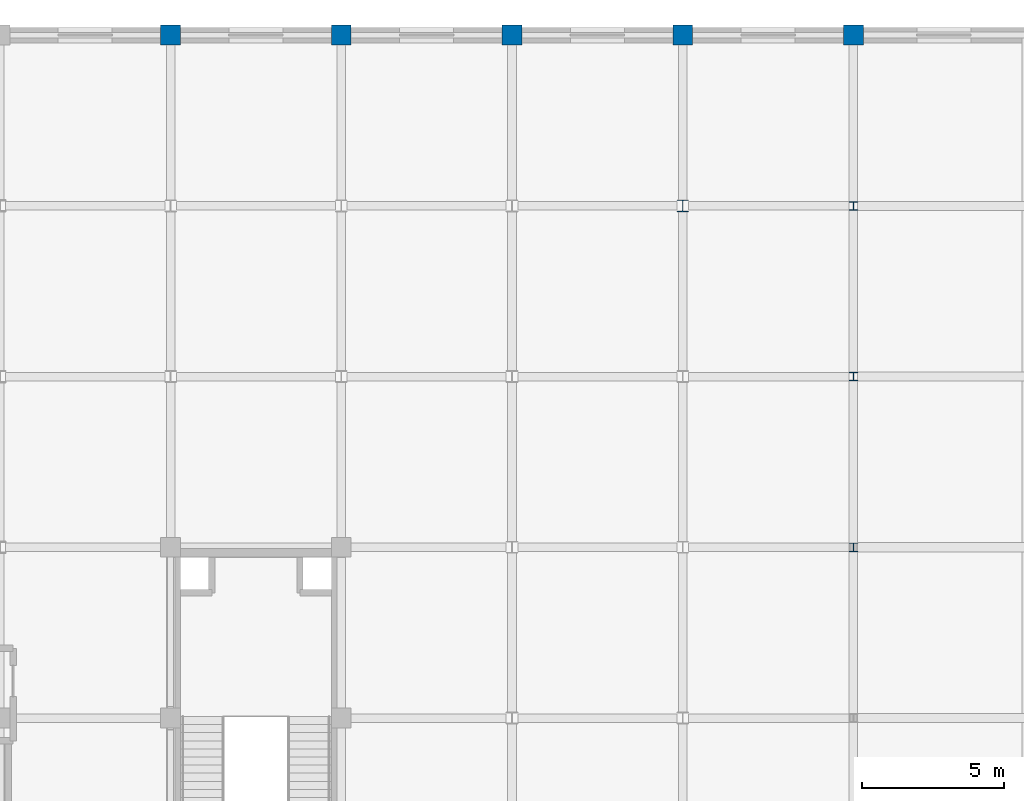
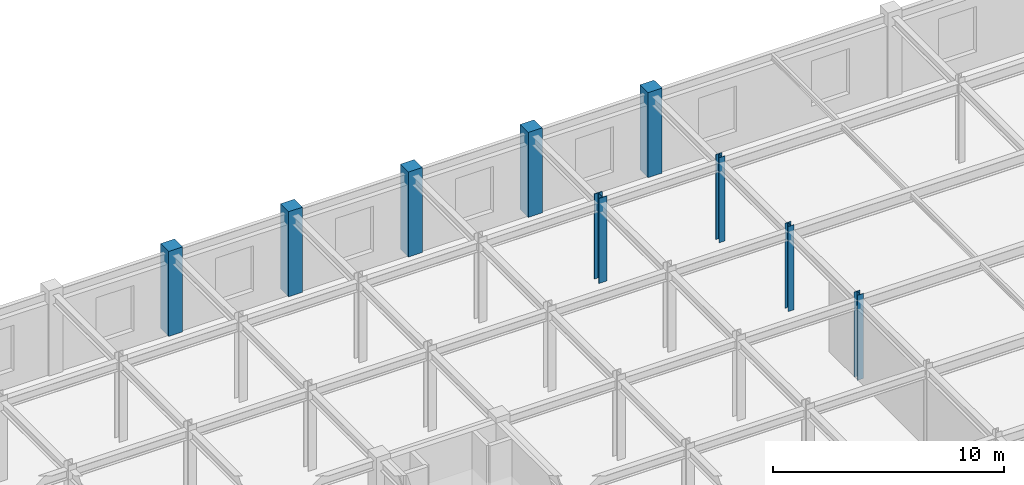
# One storey, part 17 of 108: 9 columns.
"""IFC4 building model written with IfcOpenShell, lengths in metres."""

from ifc_helpers import new_model, si_unit, direction, frame, origin, origin_2d, place, context, subcontext, project, spatial, rectangle, i_section, extrude, material, material_profile, profile_set, type_object, element, save


model = new_model("IFC4")

# Units and contexts
model_context = context("Model", 3, precision=1e-05, world=origin(), true_north=direction((0.0, 1.0)))
body_context = subcontext(model_context, "Body", "Model", "MODEL_VIEW")
ifc_project = project(units=[si_unit("LENGTHUNIT", "METRE"), si_unit("AREAUNIT", "SQUARE_METRE"), si_unit("VOLUMEUNIT", "CUBIC_METRE"), si_unit("PLANEANGLEUNIT", "RADIAN"), si_unit("MASSUNIT", "GRAM", prefix="KILO")], contexts=[model_context])

# Site, building, storey
site_placement = place(None, origin())
site = spatial("IfcSite", under=ifc_project, at=site_placement, CompositionType="ELEMENT")
building_placement = place(site_placement, origin())
building = spatial("IfcBuilding", under=site, at=building_placement, Name="Zlatovratsky Civic Hall", CompositionType="ELEMENT")
storey_placement = place(building_placement, frame((0.0, 0.0, 12.0)))
storey = spatial("IfcBuildingStorey", under=building, at=storey_placement, Name="L03", CompositionType="ELEMENT", Elevation=12.0)

# Columns
ifc_material_1 = material(Name="Concrete C35/45 (B40)", Category="concrete")
ifc_material_profile_1 = material_profile(ifc_material_1, rectangle(XDim=0.699951171875, YDim=0.699951171875, at=origin_2d()), Name="RC 700x700")
ifc_profile_set_1 = profile_set([ifc_material_profile_1], Name="Concrete C35/45 (B40)")
column_type_1 = type_object("IfcColumnType", Name="Col_CorePier_RC700", PredefinedType="COLUMN", material=ifc_profile_set_1)
for number, where, z_axis, x_axis, name in (
    (1, (96.0, 114.0, 0.0), (0.0, 0.0, 1.0), (1.0, 0.0, 0.0), "CL-1541"),
    (2, (102.0, 114.0, 0.0), (0.0, 0.0, 1.0), (1.0, 0.0, 0.0), "CL-1542"),
    (3, (108.0, 114.0, 0.0), (0.0, 0.0, 1.0), (1.0, 0.0, 0.0), "CL-1543"),
    (4, (114.0, 114.0, 0.0), (0.0, 0.0, 1.0), (1.0, 0.0, 0.0), "CL-1544"),
    (5, (120.0, 114.0, 0.0), (0.0, 0.0, 1.0), (1.0, 0.0, 0.0), "CL-1545"),
):
    element("IfcColumn", number, at=place(storey_placement, frame(where, z_axis=z_axis, x_axis=x_axis)), inside=storey, type_object=column_type_1, Name=name, PredefinedType="COLUMN", context=body_context, shape_type="SweptSolid", body=[
        extrude(rectangle(XDim=0.699951171875, YDim=0.699951171875, at=origin_2d()), origin(), (0.0, 0.0, 1.0), 4.5),
    ])
ifc_material_2 = material(Name="Steel S355", Category="steel")
ifc_material_profile_2 = material_profile(ifc_material_2, i_section(OverallWidth=0.299072265625, OverallDepth=0.2958984375, WebThickness=0.009033203125, FlangeThickness=0.013916015625, FilletRadius=0.01806640625, at=origin_2d()), Name="30K1")
ifc_profile_set_2 = profile_set([ifc_material_profile_2], Name="Steel S355")
column_type_2 = type_object("IfcColumnType", Name="Col_Steel_30K1", PredefinedType="COLUMN", material=ifc_profile_set_2)
for number, where, z_axis, x_axis, name in (
    (6, (120.0, 96.0, 0.0), (0.0, 0.0, 1.0), (1.0, 0.0, 0.0), "CL-1476"),
    (7, (120.0, 102.0, 0.0), (0.0, 0.0, 1.0), (1.0, 0.0, 0.0), "CL-1499"),
    (8, (120.0, 108.0, 0.0), (0.0, 0.0, 1.0), (1.0, 0.0, 0.0), "CL-1522"),
):
    element("IfcColumn", number, at=place(storey_placement, frame(where, z_axis=z_axis, x_axis=x_axis)), inside=storey, type_object=column_type_2, Name=name, PredefinedType="COLUMN", context=body_context, shape_type="SweptSolid", body=[
        extrude(i_section(OverallWidth=0.299072265625, OverallDepth=0.2958984375, WebThickness=0.009033203125, FlangeThickness=0.013916015625, FilletRadius=0.01806640625, at=origin_2d()), origin(), (0.0, 0.0, 1.0), 4.5),
    ])
ifc_material_profile_3 = material_profile(ifc_material_2, i_section(OverallWidth=0.405029296875, OverallDepth=0.41796875, WebThickness=0.02001953125, FlangeThickness=0.030029296875, FilletRadius=0.02197265625, at=origin_2d()), Name="40K4")
ifc_profile_set_3 = profile_set([ifc_material_profile_3], Name="Steel S355")
column_type_3 = type_object("IfcColumnType", Name="Col_Steel_40K4", PredefinedType="COLUMN", material=ifc_profile_set_3)
column_placement = place(storey_placement, frame((114.0, 108.0, 0.0), z_axis=(0.0, 0.0, 1.0), x_axis=(1.0, 0.0, 0.0)))
element("IfcColumn", 9, at=column_placement, inside=storey, type_object=column_type_3, Name="CL-1521", PredefinedType="COLUMN", context=body_context, shape_type="SweptSolid", body=[
    extrude(i_section(OverallWidth=0.405029296875, OverallDepth=0.41796875, WebThickness=0.02001953125, FlangeThickness=0.030029296875, FilletRadius=0.02197265625, at=origin_2d()), origin(), (0.0, 0.0, 1.0), 4.5),
])

save(model, "model.ifc")
